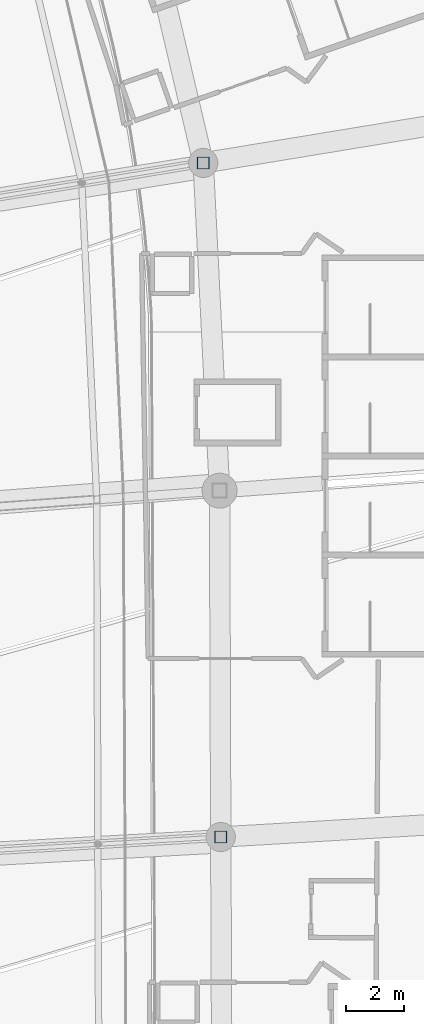
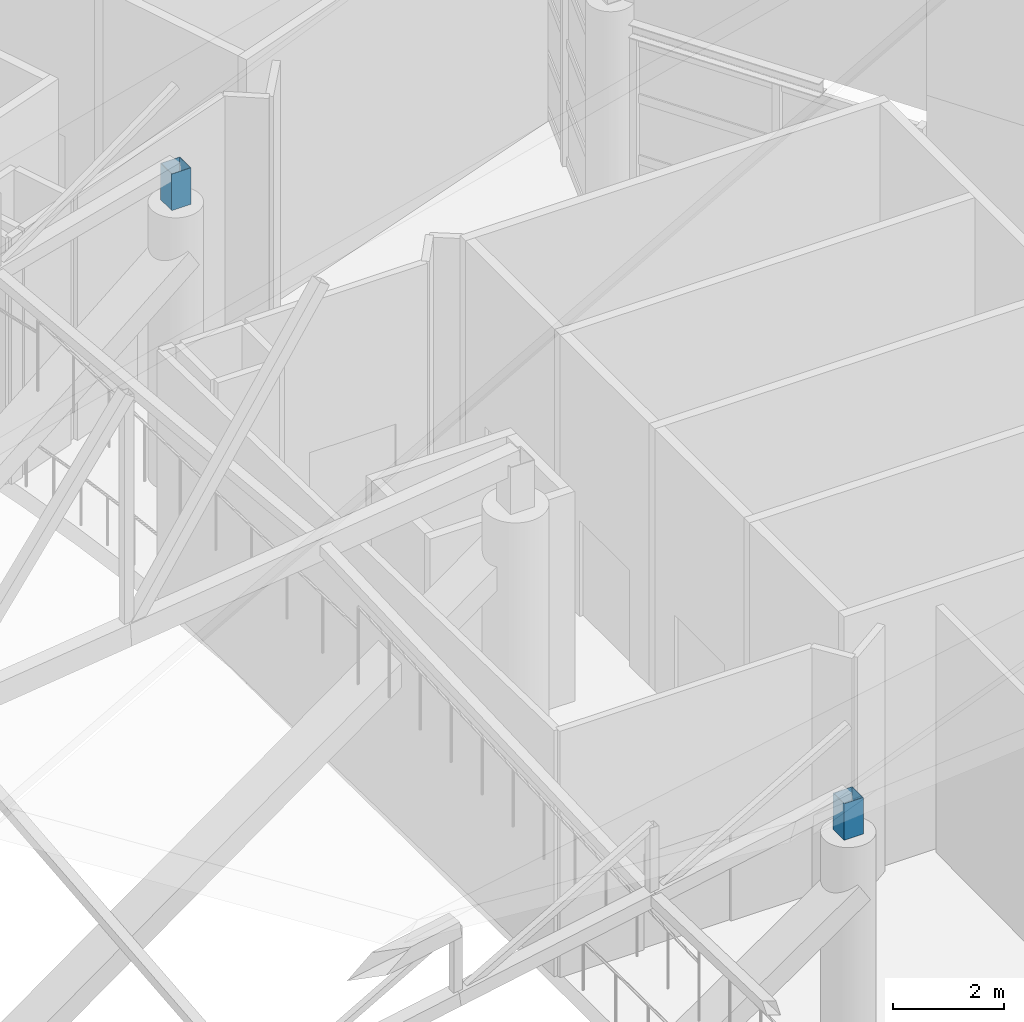
# One storey, part 222 of 344: 2 members.
"""IFC4 building model written with IfcOpenShell, lengths in metres."""

from ifc_helpers import new_model, si_unit, direction, frame, origin, origin_2d, place, context, subcontext, project, spatial, hollow_rectangle, extrude, material, material_profile, profile_set, type_object, element, save


model = new_model("IFC4")

# Units and contexts
model_context = context("Model", 3, precision=1e-05, world=origin(), true_north=direction((0.0, 1.0)))
body_context = subcontext(model_context, "Body", "Model", "MODEL_VIEW")
ifc_project = project(units=[si_unit("LENGTHUNIT", "METRE"), si_unit("AREAUNIT", "SQUARE_METRE"), si_unit("VOLUMEUNIT", "CUBIC_METRE"), si_unit("PLANEANGLEUNIT", "RADIAN"), si_unit("MASSUNIT", "GRAM", prefix="KILO")], contexts=[model_context])

# Site, building, storey
site_placement = place(None, origin())
site = spatial("IfcSite", under=ifc_project, at=site_placement, CompositionType="ELEMENT")
building_placement = place(site_placement, origin())
building = spatial("IfcBuilding", under=site, at=building_placement, Name="Meseta Stadium", CompositionType="ELEMENT")
storey_placement = place(building_placement, frame((0.0, 0.0, 24.0)))
storey = spatial("IfcBuildingStorey", under=building, at=storey_placement, Name="L04", CompositionType="ELEMENT", Elevation=24.0)

# Members
ifc_material = material(Name="Steel S355", Category="steel")
ifc_material_profile = material_profile(ifc_material, hollow_rectangle(XDim=0.39990234375, YDim=0.39990234375, WallThickness=0.010009765625, at=origin_2d()), Name="SHS 400x400x10")
ifc_profile_set = profile_set([ifc_material_profile], Name="Steel S355")
member_type = type_object("IfcMemberType", Name="SHS 400x400x10 pedestal", PredefinedType="POST", material=ifc_profile_set)
for number, where, z_axis, x_axis, name in (
    (1, (84.92529296875, 30.681640625, 6.0), (0.0, 0.0, 1.0), (1.0, 0.0, 0.0), "ROOF TRUSS RT-07 pedestal"),
    (2, (84.3251953125, 53.801513671875, 6.0), (0.0, 0.0, 1.0), (1.0, 0.0, 0.0), "ROOF TRUSS RT-09 pedestal"),
):
    element("IfcMember", number, at=place(storey_placement, frame(where, z_axis=z_axis, x_axis=x_axis)), inside=storey, type_object=member_type, Name=name, PredefinedType="POST", context=body_context, shape_type="SweptSolid", body=[
        extrude(hollow_rectangle(XDim=0.39990234375, YDim=0.39990234375, WallThickness=0.010009765625, at=origin_2d()), origin(), (0.0, 0.0, 1.0), 0.800048828125),
    ])

save(model, "model.ifc")
